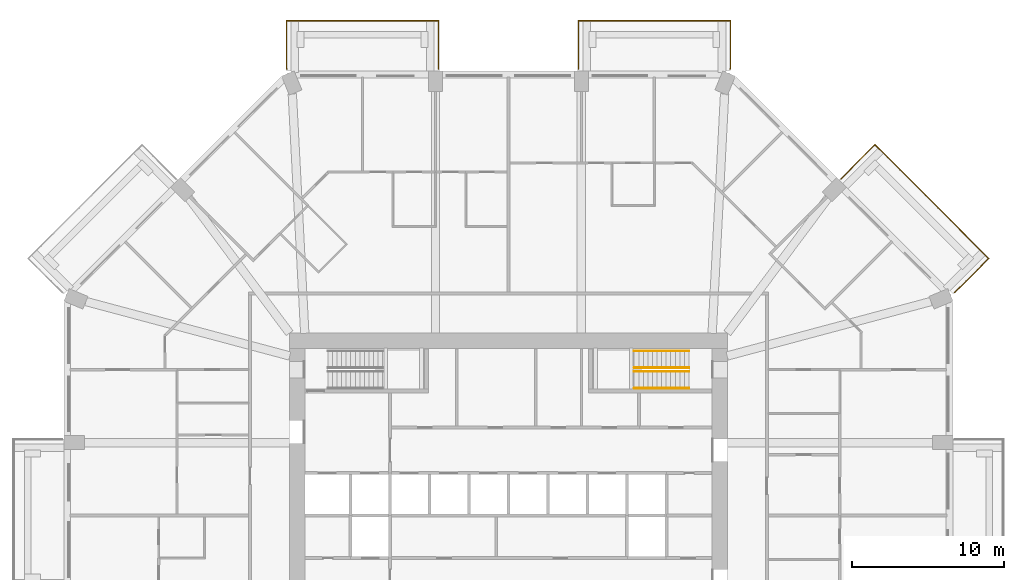
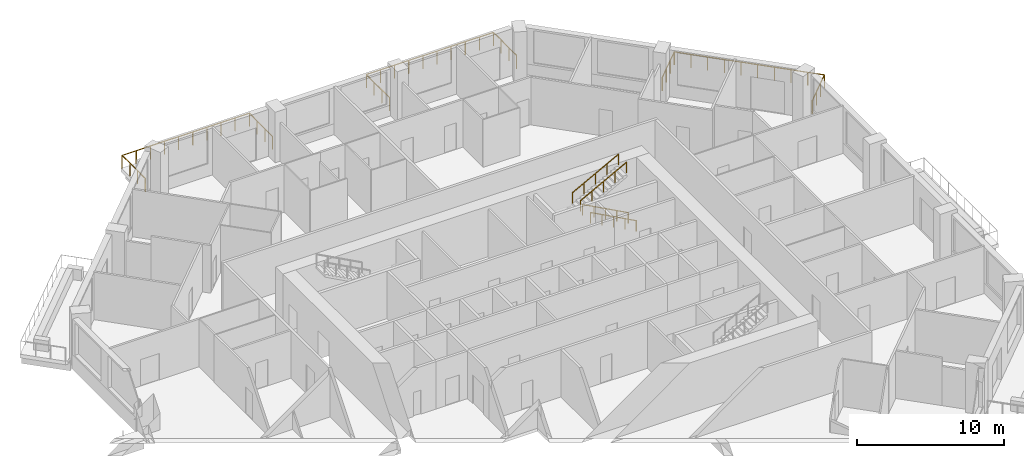
# One storey, part 13 of 13: 7 railings.
"""IFC4 building model written with IfcOpenShell, lengths in metres."""

from ifc_helpers import new_model, si_unit, direction, frame, origin, origin_2d, place, context, subcontext, project, spatial, circle, extrude, material, constituent, constituent_set, type_object, element, save


model = new_model("IFC4")

# Units and contexts
model_context = context("Model", 3, precision=1e-05, world=origin(), true_north=direction((0.0, 1.0)))
body_context = subcontext(model_context, "Body", "Model", "MODEL_VIEW")
ifc_project = project(units=[si_unit("LENGTHUNIT", "METRE"), si_unit("AREAUNIT", "SQUARE_METRE"), si_unit("VOLUMEUNIT", "CUBIC_METRE"), si_unit("PLANEANGLEUNIT", "RADIAN"), si_unit("MASSUNIT", "GRAM", prefix="KILO")], contexts=[model_context])

# Site, building, storey
site_placement = place(None, origin())
site = spatial("IfcSite", under=ifc_project, at=site_placement, CompositionType="ELEMENT")
building_placement = place(site_placement, origin())
building = spatial("IfcBuilding", under=site, at=building_placement, Name="Msitu Wima Residences", CompositionType="ELEMENT")
storey_placement = place(building_placement, frame((0.0, 0.0, 46.5)))
storey = spatial("IfcBuildingStorey", under=building, at=storey_placement, Name="L10", CompositionType="ELEMENT", Elevation=46.5)

# Railings
ifc_material_1 = material(Name="Steel S355", Category="steel")
ifc_constituent_1 = constituent(ifc_material_1, Name="Steel S355")
ifc_material_2 = material(Name="Weathering patina")
ifc_constituent_2 = constituent(ifc_material_2, Name="Weathering patina")
ifc_constituent_set_1 = constituent_set(constituents=[ifc_constituent_1, ifc_constituent_2], Name="Steel S355")
railing_type_1 = type_object("IfcRailingType", Name="Balcony guard GR1100", PredefinedType="GUARDRAIL", material=ifc_constituent_set_1)
railing_1_placement = place(storey_placement, frame((21.86865234375, 22.151611328125, 0.0)))
element("IfcRailing", 1, at=railing_1_placement, inside=storey, type_object=railing_type_1, Name="Balcony guard NE0 L10", PredefinedType="GUARDRAIL", context=body_context, shape_type="SweptSolid", body=[
    extrude(circle(Radius=0.02392578125, at=origin_2d()), frame((0.0, 0.0, 1.076171875), z_axis=(0.707145287287, 0.707068272989, 0.0), x_axis=(-0.707068272989, 0.707145287287, 0.0)), (0.0, 0.0, 1.0), 3.170166015625),
    extrude(circle(Radius=0.02392578125, at=origin_2d()), frame((2.24169921875, 2.241455078125, 1.076171875), z_axis=(0.70709524572, -0.707118316465, 0.0), x_axis=(0.707118316465, 0.70709524572, 0.0)), (0.0, 0.0, 1.0), 10.582275390625),
    extrude(circle(Radius=0.02392578125, at=origin_2d()), frame((9.724365234375, -5.241455078125, 1.076171875), z_axis=(-0.707106781187, -0.707106781187, 0.0), x_axis=(0.707106781187, -0.707106781187, 0.0)), (0.0, 0.0, 1.0), 3.136474609375),
    extrude(circle(Radius=0.02392578125, at=origin_2d()), frame((7.506591796875, -7.459228515625, 1.076171875), z_axis=(-0.923276184907, -0.384136806859, 0.0), x_axis=(0.384136806859, -0.923276184907, 0.0)), (0.0, 0.0, 1.0), 0.0361328125),
    extrude(circle(Radius=0.02099609375, at=origin_2d()), origin(), (0.0, 0.0, 1.0), 1.052001953125),
    extrude(circle(Radius=0.02099609375, at=origin_2d()), frame((0.747314453125, 0.7470703125, 0.0)), (0.0, 0.0, 1.0), 1.052001953125),
    extrude(circle(Radius=0.02099609375, at=origin_2d()), frame((1.494384765625, 1.494384765625, 0.0)), (0.0, 0.0, 1.0), 1.052001953125),
    extrude(circle(Radius=0.02099609375, at=origin_2d()), frame((2.24169921875, 2.241455078125, 0.0)), (0.0, 0.0, 1.0), 1.052001953125),
    extrude(circle(Radius=0.02099609375, at=origin_2d()), frame((3.072998046875, 1.409912109375, 0.0)), (0.0, 0.0, 1.0), 1.052001953125),
    extrude(circle(Radius=0.02099609375, at=origin_2d()), frame((3.904541015625, 0.57861328125, 0.0)), (0.0, 0.0, 1.0), 1.052001953125),
    extrude(circle(Radius=0.02099609375, at=origin_2d()), frame((4.73583984375, -0.2529296875, 0.0)), (0.0, 0.0, 1.0), 1.052001953125),
    extrude(circle(Radius=0.02099609375, at=origin_2d()), frame((5.5673828125, -1.084228515625, 0.0)), (0.0, 0.0, 1.0), 1.052001953125),
    extrude(circle(Radius=0.02099609375, at=origin_2d()), frame((6.398681640625, -1.915771484375, 0.0)), (0.0, 0.0, 1.0), 1.052001953125),
    extrude(circle(Radius=0.02099609375, at=origin_2d()), frame((7.230224609375, -2.7470703125, 0.0)), (0.0, 0.0, 1.0), 1.052001953125),
    extrude(circle(Radius=0.02099609375, at=origin_2d()), frame((8.0615234375, -3.57861328125, 0.0)), (0.0, 0.0, 1.0), 1.052001953125),
    extrude(circle(Radius=0.02099609375, at=origin_2d()), frame((8.89306640625, -4.409912109375, 0.0)), (0.0, 0.0, 1.0), 1.052001953125),
    extrude(circle(Radius=0.02099609375, at=origin_2d()), frame((9.724365234375, -5.241455078125, 0.0)), (0.0, 0.0, 1.0), 1.052001953125),
    extrude(circle(Radius=0.02099609375, at=origin_2d()), frame((8.985107421875, -5.980712890625, 0.0)), (0.0, 0.0, 1.0), 1.052001953125),
    extrude(circle(Radius=0.02099609375, at=origin_2d()), frame((8.245849609375, -6.719970703125, 0.0)), (0.0, 0.0, 1.0), 1.052001953125),
    extrude(circle(Radius=0.02099609375, at=origin_2d()), frame((7.506591796875, -7.459228515625, 0.0)), (0.0, 0.0, 1.0), 1.052001953125),
    extrude(circle(Radius=0.02099609375, at=origin_2d()), frame((7.47314453125, -7.47314453125, 0.0)), (0.0, 0.0, 1.0), 1.052001953125),
])
railing_2_placement = place(storey_placement, frame((4.60009765625, 29.3798828125, 0.0)))
element("IfcRailing", 2, at=railing_2_placement, inside=storey, type_object=railing_type_1, Name="Balcony guard N0 L10", PredefinedType="GUARDRAIL", context=body_context, shape_type="SweptSolid", body=[
    extrude(circle(Radius=0.02392578125, at=origin_2d()), frame((0.0, 0.0, 1.076171875), z_axis=(0.0, 1.0, 0.0), x_axis=(-1.0, 0.0, 0.0)), (0.0, 0.0, 1.0), 3.170166015625),
    extrude(circle(Radius=0.02392578125, at=origin_2d()), frame((0.0, 3.170166015625, 1.076171875), z_axis=(1.0, 0.0, 0.0), x_axis=(0.0, 1.0, 0.0)), (0.0, 0.0, 1.0), 10.0),
    extrude(circle(Radius=0.02392578125, at=origin_2d()), frame((10.0, 3.170166015625, 1.076171875), z_axis=(0.0, -1.0, 0.0), x_axis=(1.0, 0.0, 0.0)), (0.0, 0.0, 1.0), 3.136474609375),
    extrude(circle(Radius=0.02392578125, at=origin_2d()), frame((10.0, 0.03369140625, 1.076171875), z_axis=(-0.38176015442, -0.92426142649, 0.0), x_axis=(0.92426142649, -0.38176015442, 0.0)), (0.0, 0.0, 1.0), 0.036376953125),
    extrude(circle(Radius=0.02099609375, at=origin_2d()), origin(), (0.0, 0.0, 1.0), 1.052001953125),
    extrude(circle(Radius=0.02099609375, at=origin_2d()), frame((0.0, 1.056640625, 0.0)), (0.0, 0.0, 1.0), 1.052001953125),
    extrude(circle(Radius=0.02099609375, at=origin_2d()), frame((0.0, 2.113525390625, 0.0)), (0.0, 0.0, 1.0), 1.052001953125),
    extrude(circle(Radius=0.02099609375, at=origin_2d()), frame((0.0, 3.170166015625, 0.0)), (0.0, 0.0, 1.0), 1.052001953125),
    extrude(circle(Radius=0.02099609375, at=origin_2d()), frame((1.111083984375, 3.170166015625, 0.0)), (0.0, 0.0, 1.0), 1.052001953125),
    extrude(circle(Radius=0.02099609375, at=origin_2d()), frame((2.22216796875, 3.170166015625, 0.0)), (0.0, 0.0, 1.0), 1.052001953125),
    extrude(circle(Radius=0.02099609375, at=origin_2d()), frame((3.333251953125, 3.170166015625, 0.0)), (0.0, 0.0, 1.0), 1.052001953125),
    extrude(circle(Radius=0.02099609375, at=origin_2d()), frame((4.4443359375, 3.170166015625, 0.0)), (0.0, 0.0, 1.0), 1.052001953125),
    extrude(circle(Radius=0.02099609375, at=origin_2d()), frame((5.5556640625, 3.170166015625, 0.0)), (0.0, 0.0, 1.0), 1.052001953125),
    extrude(circle(Radius=0.02099609375, at=origin_2d()), frame((6.666748046875, 3.170166015625, 0.0)), (0.0, 0.0, 1.0), 1.052001953125),
    extrude(circle(Radius=0.02099609375, at=origin_2d()), frame((7.77783203125, 3.170166015625, 0.0)), (0.0, 0.0, 1.0), 1.052001953125),
    extrude(circle(Radius=0.02099609375, at=origin_2d()), frame((8.888916015625, 3.170166015625, 0.0)), (0.0, 0.0, 1.0), 1.052001953125),
    extrude(circle(Radius=0.02099609375, at=origin_2d()), frame((10.0, 3.170166015625, 0.0)), (0.0, 0.0, 1.0), 1.052001953125),
    extrude(circle(Radius=0.02099609375, at=origin_2d()), frame((10.0, 2.124755859375, 0.0)), (0.0, 0.0, 1.0), 1.052001953125),
    extrude(circle(Radius=0.02099609375, at=origin_2d()), frame((10.0, 1.0791015625, 0.0)), (0.0, 0.0, 1.0), 1.052001953125),
    extrude(circle(Radius=0.02099609375, at=origin_2d()), frame((10.0, 0.03369140625, 0.0)), (0.0, 0.0, 1.0), 1.052001953125),
    extrude(circle(Radius=0.02099609375, at=origin_2d()), frame((9.986083984375, 0.0, 0.0)), (0.0, 0.0, 1.0), 1.052001953125),
])
railing_3_placement = place(storey_placement, frame((-14.586181640625, 29.3798828125, 0.0)))
element("IfcRailing", 3, at=railing_3_placement, inside=storey, type_object=railing_type_1, Name="Balcony guard N2 L10", PredefinedType="GUARDRAIL", context=body_context, shape_type="SweptSolid", body=[
    extrude(circle(Radius=0.02392578125, at=origin_2d()), frame((0.0, 0.0, 1.076171875), z_axis=(-0.38176015442, 0.92426142649, 0.0), x_axis=(-0.92426142649, -0.38176015442, 0.0)), (0.0, 0.0, 1.0), 0.036376953125),
    extrude(circle(Radius=0.02392578125, at=origin_2d()), frame((-0.013916015625, 0.03369140625, 1.076171875), z_axis=(0.0, 1.0, 0.0), x_axis=(-1.0, 0.0, 0.0)), (0.0, 0.0, 1.0), 3.136474609375),
    extrude(circle(Radius=0.02392578125, at=origin_2d()), frame((-0.013916015625, 3.170166015625, 1.076171875), z_axis=(1.0, 0.0, 0.0), x_axis=(0.0, 1.0, 0.0)), (0.0, 0.0, 1.0), 10.0),
    extrude(circle(Radius=0.02392578125, at=origin_2d()), frame((9.986083984375, 3.170166015625, 1.076171875), z_axis=(0.0, -1.0, 0.0), x_axis=(1.0, 0.0, 0.0)), (0.0, 0.0, 1.0), 3.170166015625),
    extrude(circle(Radius=0.02099609375, at=origin_2d()), origin(), (0.0, 0.0, 1.0), 1.052001953125),
    extrude(circle(Radius=0.02099609375, at=origin_2d()), frame((-0.013916015625, 0.03369140625, 0.0)), (0.0, 0.0, 1.0), 1.052001953125),
    extrude(circle(Radius=0.02099609375, at=origin_2d()), frame((-0.013916015625, 1.0791015625, 0.0)), (0.0, 0.0, 1.0), 1.052001953125),
    extrude(circle(Radius=0.02099609375, at=origin_2d()), frame((-0.013916015625, 2.124755859375, 0.0)), (0.0, 0.0, 1.0), 1.052001953125),
    extrude(circle(Radius=0.02099609375, at=origin_2d()), frame((-0.013916015625, 3.170166015625, 0.0)), (0.0, 0.0, 1.0), 1.052001953125),
    extrude(circle(Radius=0.02099609375, at=origin_2d()), frame((1.09716796875, 3.170166015625, 0.0)), (0.0, 0.0, 1.0), 1.052001953125),
    extrude(circle(Radius=0.02099609375, at=origin_2d()), frame((2.208251953125, 3.170166015625, 0.0)), (0.0, 0.0, 1.0), 1.052001953125),
    extrude(circle(Radius=0.02099609375, at=origin_2d()), frame((3.3193359375, 3.170166015625, 0.0)), (0.0, 0.0, 1.0), 1.052001953125),
    extrude(circle(Radius=0.02099609375, at=origin_2d()), frame((4.430419921875, 3.170166015625, 0.0)), (0.0, 0.0, 1.0), 1.052001953125),
    extrude(circle(Radius=0.02099609375, at=origin_2d()), frame((5.541748046875, 3.170166015625, 0.0)), (0.0, 0.0, 1.0), 1.052001953125),
    extrude(circle(Radius=0.02099609375, at=origin_2d()), frame((6.65283203125, 3.170166015625, 0.0)), (0.0, 0.0, 1.0), 1.052001953125),
    extrude(circle(Radius=0.02099609375, at=origin_2d()), frame((7.763916015625, 3.170166015625, 0.0)), (0.0, 0.0, 1.0), 1.052001953125),
    extrude(circle(Radius=0.02099609375, at=origin_2d()), frame((8.875, 3.170166015625, 0.0)), (0.0, 0.0, 1.0), 1.052001953125),
    extrude(circle(Radius=0.02099609375, at=origin_2d()), frame((9.986083984375, 3.170166015625, 0.0)), (0.0, 0.0, 1.0), 1.052001953125),
    extrude(circle(Radius=0.02099609375, at=origin_2d()), frame((9.986083984375, 2.113525390625, 0.0)), (0.0, 0.0, 1.0), 1.052001953125),
    extrude(circle(Radius=0.02099609375, at=origin_2d()), frame((9.986083984375, 1.056640625, 0.0)), (0.0, 0.0, 1.0), 1.052001953125),
    extrude(circle(Radius=0.02099609375, at=origin_2d()), frame((9.986083984375, 0.0, 0.0)), (0.0, 0.0, 1.0), 1.052001953125),
])
ifc_constituent_3 = constituent(ifc_material_1, Name="Steel S355")
ifc_material_3 = material(Name="Black powder coating")
ifc_constituent_4 = constituent(ifc_material_3, Name="Black powder coating")
ifc_constituent_set_2 = constituent_set(constituents=[ifc_constituent_3, ifc_constituent_4], Name="Steel S355")
railing_type_2 = type_object("IfcRailingType", Name="Stair handrail HR1", PredefinedType="HANDRAIL", material=ifc_constituent_set_2)
for number, where, name in (
    (4, (11.875, 8.375, 0.16162109375), "Stair 3 handrail"),
    (5, (11.875, 9.47509765625, 0.16162109375), "Stair 3 handrail"),
):
    element("IfcRailing", number, at=place(storey_placement, frame(where)), inside=storey, type_object=railing_type_2, Name=name, PredefinedType="HANDRAIL", context=body_context, shape_type="SweptSolid", body=[
        extrude(circle(Radius=0.02392578125, at=origin_2d()), frame((0.0, 0.0, 0.8759765625), z_axis=(-0.880474934443, 0.0, 0.474092701714), x_axis=(0.0, -1.0, 0.0)), (0.0, 0.0, 1.0), 4.0888671875),
        extrude(circle(Radius=0.02099609375, at=origin_2d()), origin(), (0.0, 0.0, 1.0), 0.851806640625),
        extrude(circle(Radius=0.02099609375, at=origin_2d()), frame((-0.89990234375, 0.0, 0.484619140625)), (0.0, 0.0, 1.0), 0.851806640625),
        extrude(circle(Radius=0.02099609375, at=origin_2d()), frame((-1.800048828125, 0.0, 0.96923828125)), (0.0, 0.0, 1.0), 0.851806640625),
        extrude(circle(Radius=0.02099609375, at=origin_2d()), frame((-2.7001953125, 0.0, 1.453857421875)), (0.0, 0.0, 1.0), 0.851806640625),
        extrude(circle(Radius=0.02099609375, at=origin_2d()), frame((-3.60009765625, 0.0, 1.9384765625)), (0.0, 0.0, 1.0), 0.851806640625),
    ])
for number, where, name in (
    (6, (8.27490234375, 9.72509765625, 2.261474609375), "Stair 3 handrail"),
    (7, (8.27490234375, 10.824951171875, 2.261474609375), "Stair 3 handrail"),
):
    element("IfcRailing", number, at=place(storey_placement, frame(where)), inside=storey, type_object=railing_type_2, Name=name, PredefinedType="HANDRAIL", context=body_context, shape_type="SweptSolid", body=[
        extrude(circle(Radius=0.02392578125, at=origin_2d()), frame((0.0, 0.0, 0.8759765625), z_axis=(0.880474934443, 0.0, 0.474092701714), x_axis=(0.0, 1.0, 0.0)), (0.0, 0.0, 1.0), 4.0888671875),
        extrude(circle(Radius=0.02099609375, at=origin_2d()), origin(), (0.0, 0.0, 1.0), 0.851806640625),
        extrude(circle(Radius=0.02099609375, at=origin_2d()), frame((0.89990234375, 0.0, 0.484619140625)), (0.0, 0.0, 1.0), 0.851806640625),
        extrude(circle(Radius=0.02099609375, at=origin_2d()), frame((1.800048828125, 0.0, 0.96923828125)), (0.0, 0.0, 1.0), 0.851806640625),
        extrude(circle(Radius=0.02099609375, at=origin_2d()), frame((2.7001953125, 0.0, 1.453857421875)), (0.0, 0.0, 1.0), 0.851806640625),
        extrude(circle(Radius=0.02099609375, at=origin_2d()), frame((3.60009765625, 0.0, 1.9384765625)), (0.0, 0.0, 1.0), 0.851806640625),
    ])

save(model, "model.ifc")
